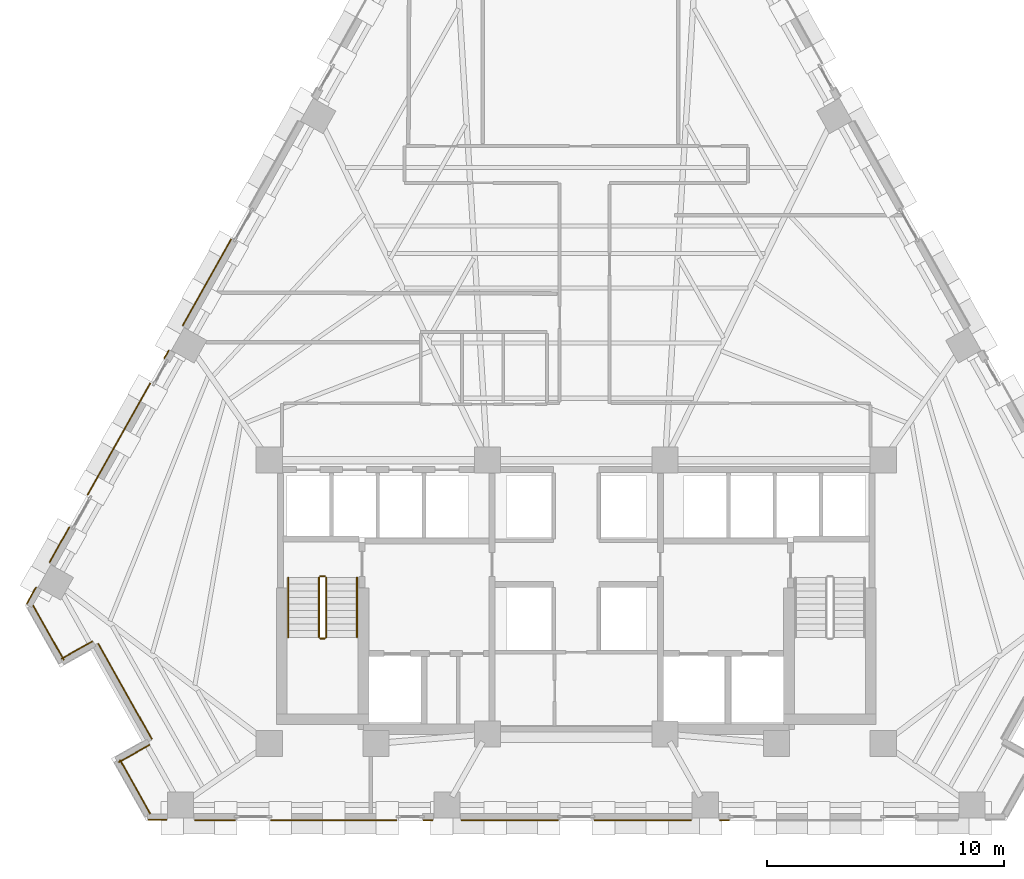
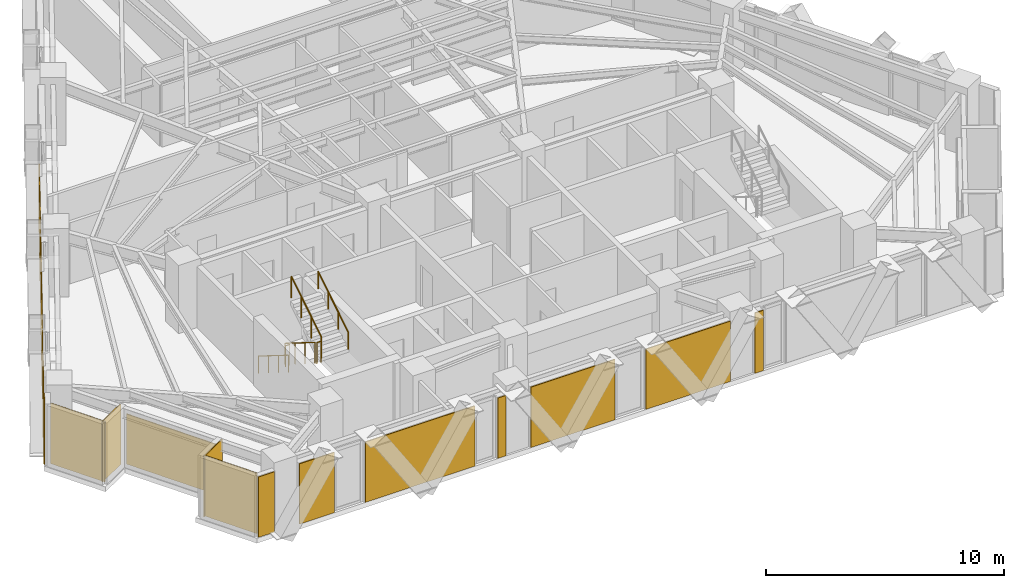
# One storey, part 10 of 13: 17 coverings, 6 railings.
"""IFC4 building model written with IfcOpenShell, lengths in metres."""

from ifc_helpers import new_model, si_unit, direction, frame, origin, origin_2d, place, context, subcontext, project, spatial, polyline, circle, outline, extrude, material, layer, layer_set, type_object, element, save


model = new_model("IFC4")

# Units and contexts
model_context = context("Model", 3, precision=1e-05, world=origin(), true_north=direction((0.0, 1.0)))
body_context = subcontext(model_context, "Body", "Model", "MODEL_VIEW")
ifc_project = project(units=[si_unit("LENGTHUNIT", "METRE"), si_unit("AREAUNIT", "SQUARE_METRE"), si_unit("VOLUMEUNIT", "CUBIC_METRE"), si_unit("PLANEANGLEUNIT", "RADIAN"), si_unit("MASSUNIT", "GRAM", prefix="KILO")], contexts=[model_context])

# Site, building, storey
site_placement = place(None, origin())
site = spatial("IfcSite", under=ifc_project, at=site_placement, CompositionType="ELEMENT")
building_placement = place(site_placement, origin())
building = spatial("IfcBuilding", under=site, at=building_placement, Name="Quenlor Broadcast Tower", CompositionType="ELEMENT")
storey_placement = place(building_placement, frame((0.0, 0.0, 87.10009765625)))
storey = spatial("IfcBuildingStorey", under=building, at=storey_placement, Name="L23", CompositionType="ELEMENT", Elevation=87.10009765625)

# Coverings
ifc_material_1 = material(Name="Architectural Terracotta Ceramic", Category="masonry")
ifc_layer = layer(ifc_material_1, 0.044921875)
ifc_layer_set = layer_set([ifc_layer], Name="Fluted Terracotta Rainscreen Cladding Panel")
covering_type = type_object("IfcCoveringType", Name="Fluted Terracotta Rainscreen Cladding Panel", PredefinedType="CLADDING", material=ifc_layer_set)
covering_1_placement = place(storey_placement, frame((0.0, 0.0, 0.02001953125)))
element("IfcCovering", 1, at=covering_1_placement, inside=storey, type_object=covering_type, Name="L23 Terracotta Rainscreen Cladding L23-SHD-SS1", PredefinedType="CLADDING", context=body_context, shape_type="SweptSolid", body=[
    extrude(outline(polyline([(-17.277587890625, -19.951904296875), (-18.053955078125, -19.951904296875), (-18.053955078125, -19.9970703125), (-17.277587890625, -19.9970703125), (-17.277587890625, -19.951904296875)])), origin(), (0.0, 0.0, 1.0), 3.099853515625),
])
covering_2_placement = place(storey_placement, frame((0.0, 0.0, 0.02001953125)))
element("IfcCovering", 2, at=covering_2_placement, inside=storey, type_object=covering_type, Name="L23 Terracotta Rainscreen Cladding L23-SA-SP3", PredefinedType="CLADDING", context=body_context, shape_type="SweptSolid", body=[
    extrude(outline(polyline([(6.4482421875, -19.971923828125), (6.048095703125, -19.971923828125), (6.048095703125, -20.01708984375), (6.4482421875, -20.01708984375), (6.4482421875, -19.971923828125)])), origin(), (0.0, 0.0, 1.0), 3.099853515625),
])
covering_3_placement = place(storey_placement, frame((0.0, 0.0, 0.02001953125)))
element("IfcCovering", 3, at=covering_3_placement, inside=storey, type_object=covering_type, Name="L23 Terracotta Rainscreen Cladding L23-SC-SP1", PredefinedType="CLADDING", context=body_context, shape_type="SweptSolid", body=[
    extrude(outline(polyline([(-6.048095703125, -19.971923828125), (-6.4482421875, -19.971923828125), (-6.4482421875, -20.01708984375), (-6.048095703125, -20.01708984375), (-6.048095703125, -19.971923828125)])), origin(), (0.0, 0.0, 1.0), 3.099853515625),
])
covering_4_placement = place(storey_placement, frame((0.0, 0.0, 0.02001953125)))
element("IfcCovering", 4, at=covering_4_placement, inside=storey, type_object=covering_type, Name="L23 Terracotta Rainscreen Cladding L23-SC-SP2", PredefinedType="CLADDING", context=body_context, shape_type="SweptSolid", body=[
    extrude(outline(polyline([(-7.5693359375, -19.971923828125), (-12.883544921875, -19.971923828125), (-12.883544921875, -20.01708984375), (-7.5693359375, -20.01708984375), (-7.5693359375, -19.971923828125)])), origin(), (0.0, 0.0, 1.0), 3.099853515625),
])
covering_5_placement = place(storey_placement, frame((0.0, 0.0, 0.02001953125)))
element("IfcCovering", 5, at=covering_5_placement, inside=storey, type_object=covering_type, Name="L23 Terracotta Rainscreen Cladding L23-SC-SP3", PredefinedType="CLADDING", context=body_context, shape_type="SweptSolid", body=[
    extrude(outline(polyline([(-14.386962890625, -19.971923828125), (-16.08740234375, -19.971923828125), (-16.08740234375, -20.01708984375), (-14.386962890625, -20.01708984375), (-14.386962890625, -19.971923828125)])), origin(), (0.0, 0.0, 1.0), 3.099853515625),
])
covering_6_placement = place(storey_placement, frame((0.0, 0.0, 0.02001953125)))
element("IfcCovering", 6, at=covering_6_placement, inside=storey, type_object=covering_type, Name="L23 Terracotta Rainscreen Cladding L23-S-SP1", PredefinedType="CLADDING", context=body_context, shape_type="SweptSolid", body=[
    extrude(outline(polyline([(4.84326171875, -19.971923828125), (0.751708984375, -19.971923828125), (0.751708984375, -20.01708984375), (4.84326171875, -20.01708984375), (4.84326171875, -19.971923828125)])), origin(), (0.0, 0.0, 1.0), 3.099853515625),
])
covering_7_placement = place(storey_placement, frame((0.0, 0.0, 0.02001953125)))
element("IfcCovering", 7, at=covering_7_placement, inside=storey, type_object=covering_type, Name="L23 Terracotta Rainscreen Cladding L23-S-SP2", PredefinedType="CLADDING", context=body_context, shape_type="SweptSolid", body=[
    extrude(outline(polyline([(-0.751708984375, -19.971923828125), (-4.84326171875, -19.971923828125), (-4.84326171875, -20.01708984375), (-0.751708984375, -20.01708984375), (-0.751708984375, -19.971923828125)])), origin(), (0.0, 0.0, 1.0), 3.099853515625),
])
covering_8_placement = place(storey_placement, frame((0.0, 0.0, 0.02001953125)))
element("IfcCovering", 8, at=covering_8_placement, inside=storey, type_object=covering_type, Name="L23 Terracotta Rainscreen Cladding L23-SHD-NWS0", PredefinedType="CLADDING", context=body_context, shape_type="SweptSolid", body=[
    extrude(outline(polyline([(-23.160888671875, -10.873046875), (-22.76611328125, -10.171142578125), (-22.805419921875, -10.149169921875), (-23.2001953125, -10.85107421875), (-23.160888671875, -10.873046875)])), origin(), (0.0, 0.0, 1.0), 3.099853515625),
])
covering_9_placement = place(storey_placement, frame((0.0, 0.0, 0.02001953125)))
element("IfcCovering", 9, at=covering_9_placement, inside=storey, type_object=covering_type, Name="L23 Terracotta Rainscreen Cladding L23-NWA-SP1", PredefinedType="CLADDING", context=body_context, shape_type="SweptSolid", body=[
    extrude(outline(polyline([(-22.2001953125, -9.1240234375), (-21.35693359375, -7.625), (-21.396240234375, -7.60302734375), (-22.239501953125, -9.10205078125), (-22.2001953125, -9.1240234375)])), origin(), (0.0, 0.0, 1.0), 3.099853515625),
])
covering_10_placement = place(storey_placement, frame((0.0, 0.0, 0.02001953125)))
element("IfcCovering", 10, at=covering_10_placement, inside=storey, type_object=covering_type, Name="L23 Terracotta Rainscreen Cladding L23-NWA-SP2", PredefinedType="CLADDING", context=body_context, shape_type="SweptSolid", body=[
    extrude(outline(polyline([(-20.596435546875, -6.27294921875), (-17.94384765625, -1.557373046875), (-17.983154296875, -1.535400390625), (-20.6357421875, -6.2509765625), (-20.596435546875, -6.27294921875)])), origin(), (0.0, 0.0, 1.0), 3.099853515625),
])
covering_11_placement = place(storey_placement, frame((0.0, 0.0, 0.02001953125)))
element("IfcCovering", 11, at=covering_11_placement, inside=storey, type_object=covering_type, Name="L23 Terracotta Rainscreen Cladding L23-NWA-SP3", PredefinedType="CLADDING", context=body_context, shape_type="SweptSolid", body=[
    extrude(outline(polyline([(-17.36474609375, -0.528076171875), (-17.168701171875, -0.179443359375), (-17.2080078125, -0.157470703125), (-17.404052734375, -0.506103515625), (-17.36474609375, -0.528076171875)])), origin(), (0.0, 0.0, 1.0), 3.099853515625),
])
covering_12_placement = place(storey_placement, frame((0.0, 0.0, 0.02001953125)))
element("IfcCovering", 12, at=covering_12_placement, inside=storey, type_object=covering_type, Name="L23 Terracotta Rainscreen Cladding L23-NW-SP1", PredefinedType="CLADDING", context=body_context, shape_type="SweptSolid", body=[
    extrude(outline(polyline([(-16.577880859375, 0.870849609375), (-14.531005859375, 4.51025390625), (-14.570068359375, 4.5322265625), (-16.6171875, 0.892822265625), (-16.577880859375, 0.870849609375)])), origin(), (0.0, 0.0, 1.0), 3.099853515625),
])
covering_13_placement = place(storey_placement, frame((0.0, 0.0, 0.02001953125)))
element("IfcCovering", 13, at=covering_13_placement, inside=storey, type_object=covering_type, Name="L23 Terracotta Rainscreen Cladding L23-CNR-12", PredefinedType="CLADDING", context=body_context, shape_type="SweptSolid", body=[
    extrude(outline(polyline([(-22.931396484375, -10.93408203125), (-21.630126953125, -13.24755859375), (-21.591064453125, -13.2255859375), (-22.892333984375, -10.912109375), (-22.931396484375, -10.93408203125)])), origin(), (0.0, 0.0, 1.0), 3.099853515625),
])
covering_14_placement = place(storey_placement, frame((0.0, 0.0, 0.02001953125)))
element("IfcCovering", 14, at=covering_14_placement, inside=storey, type_object=covering_type, Name="L23 Terracotta Rainscreen Cladding L23-CNR-13", PredefinedType="CLADDING", context=body_context, shape_type="SweptSolid", body=[
    extrude(outline(polyline([(-21.70703125, -13.19677734375), (-20.399658203125, -12.461181640625), (-20.421630859375, -12.422119140625), (-21.72900390625, -13.157470703125), (-21.70703125, -13.19677734375)])), origin(), (0.0, 0.0, 1.0), 3.099853515625),
])
covering_15_placement = place(storey_placement, frame((0.0, 0.0, 0.02001953125)))
element("IfcCovering", 15, at=covering_15_placement, inside=storey, type_object=covering_type, Name="L23 Terracotta Rainscreen Cladding L23-CNR-14", PredefinedType="CLADDING", context=body_context, shape_type="SweptSolid", body=[
    extrude(outline(polyline([(-20.186767578125, -12.55029296875), (-17.921630859375, -16.576904296875), (-17.88232421875, -16.554931640625), (-20.1474609375, -12.5283203125), (-20.186767578125, -12.55029296875)])), origin(), (0.0, 0.0, 1.0), 2.57177734375),
])
covering_16_placement = place(storey_placement, frame((0.0, 0.0, 0.02001953125)))
element("IfcCovering", 16, at=covering_16_placement, inside=storey, type_object=covering_type, Name="L23 Terracotta Rainscreen Cladding L23-CNR-15", PredefinedType="CLADDING", context=body_context, shape_type="SweptSolid", body=[
    extrude(outline(polyline([(-18.010498046875, -16.789794921875), (-19.31787109375, -17.525390625), (-19.2958984375, -17.564697265625), (-17.988525390625, -16.8291015625), (-18.010498046875, -16.789794921875)])), origin(), (0.0, 0.0, 1.0), 3.099853515625),
])
covering_17_placement = place(storey_placement, frame((0.0, 0.0, 0.02001953125)))
element("IfcCovering", 17, at=covering_17_placement, inside=storey, type_object=covering_type, Name="L23 Terracotta Rainscreen Cladding L23-CNR-16", PredefinedType="CLADDING", context=body_context, shape_type="SweptSolid", body=[
    extrude(outline(polyline([(-19.26708984375, -17.448486328125), (-17.987060546875, -19.72412109375), (-17.947998046875, -19.7021484375), (-19.227783203125, -17.426513671875), (-19.26708984375, -17.448486328125)])), origin(), (0.0, 0.0, 1.0), 3.099853515625),
])

# Railings
ifc_material_2 = material(Name="Anodised Aluminium", Category="aluminium")
railing_type_1 = type_object("IfcRailingType", Name="Stainless Aluminium Wall Handrail 900", PredefinedType="HANDRAIL", material=ifc_material_2)
railing_1_placement = place(storey_placement, frame((-12.14990234375, -9.75, 0.1748046875)))
element("IfcRailing", 18, at=railing_1_placement, inside=storey, type_object=railing_type_1, Name="L23 ST-1 stair handrail 1", PredefinedType="HANDRAIL", context=body_context, shape_type="SweptSolid", body=[
    extrude(circle(Radius=0.02392578125, at=origin_2d()), frame((0.0, 0.0, 0.8759765625), z_axis=(0.0, -0.847970611238, 0.530043245855), x_axis=(1.0, 0.0, 0.0)), (0.0, 0.0, 1.0), 2.971923828125),
    extrude(circle(Radius=0.02099609375, at=origin_2d()), origin(), (0.0, 0.0, 1.0), 0.851806640625),
    extrude(circle(Radius=0.02099609375, at=origin_2d()), frame((0.0, -0.840087890625, 0.525146484375)), (0.0, 0.0, 1.0), 0.851806640625),
    extrude(circle(Radius=0.02099609375, at=origin_2d()), frame((0.0, -1.679931640625, 1.050048828125)), (0.0, 0.0, 1.0), 0.851806640625),
    extrude(circle(Radius=0.02099609375, at=origin_2d()), frame((0.0, -2.52001953125, 1.5751953125)), (0.0, 0.0, 1.0), 0.851806640625),
])
railing_2_placement = place(storey_placement, frame((-9.25, -12.27001953125, 1.9248046875)))
element("IfcRailing", 19, at=railing_2_placement, inside=storey, type_object=railing_type_1, Name="L23 ST-1 stair handrail 2", PredefinedType="HANDRAIL", context=body_context, shape_type="SweptSolid", body=[
    extrude(circle(Radius=0.02392578125, at=origin_2d()), frame((0.0, 0.0, 0.8759765625), z_axis=(0.0, 0.847970611238, 0.530043245855), x_axis=(-1.0, 0.0, 0.0)), (0.0, 0.0, 1.0), 2.971923828125),
    extrude(circle(Radius=0.02099609375, at=origin_2d()), origin(), (0.0, 0.0, 1.0), 0.851806640625),
    extrude(circle(Radius=0.02099609375, at=origin_2d()), frame((0.0, 0.840087890625, 0.525146484375)), (0.0, 0.0, 1.0), 0.851806640625),
    extrude(circle(Radius=0.02099609375, at=origin_2d()), frame((0.0, 1.679931640625, 1.050048828125)), (0.0, 0.0, 1.0), 0.851806640625),
    extrude(circle(Radius=0.02099609375, at=origin_2d()), frame((0.0, 2.52001953125, 1.5751953125)), (0.0, 0.0, 1.0), 0.851806640625),
])
ifc_material_3 = material(Name="Steel S355", Category="steel")
railing_type_2 = type_object("IfcRailingType", Name="Tubular Steel S355 Stair Guardrail 1100", PredefinedType="BALUSTRADE", material=ifc_material_3)
railing_3_placement = place(storey_placement, frame((-10.85009765625, -9.75, 0.1748046875)))
element("IfcRailing", 20, at=railing_3_placement, inside=storey, type_object=railing_type_2, Name="L23 ST-1 stair guard 1", PredefinedType="BALUSTRADE", context=body_context, shape_type="SweptSolid", body=[
    extrude(circle(Radius=0.02392578125, at=origin_2d()), frame((0.0, 0.0, 1.076171875), z_axis=(0.0, -0.847970611238, 0.530043245855), x_axis=(1.0, 0.0, 0.0)), (0.0, 0.0, 1.0), 2.971923828125),
    extrude(circle(Radius=0.02099609375, at=origin_2d()), origin(), (0.0, 0.0, 1.0), 1.052001953125),
    extrude(circle(Radius=0.02099609375, at=origin_2d()), frame((0.0, -0.840087890625, 0.525146484375)), (0.0, 0.0, 1.0), 1.052001953125),
    extrude(circle(Radius=0.02099609375, at=origin_2d()), frame((0.0, -1.679931640625, 1.050048828125)), (0.0, 0.0, 1.0), 1.052001953125),
    extrude(circle(Radius=0.02099609375, at=origin_2d()), frame((0.0, -2.52001953125, 1.5751953125)), (0.0, 0.0, 1.0), 1.052001953125),
])
railing_4_placement = place(storey_placement, frame((-10.800048828125, -12.320068359375, 1.75)))
element("IfcRailing", 21, at=railing_4_placement, inside=storey, type_object=railing_type_2, Name="L23 ST-1 stair guard 2", PredefinedType="BALUSTRADE", context=body_context, shape_type="SweptSolid", body=[
    extrude(circle(Radius=0.02392578125, at=origin_2d()), frame((0.0, 0.0, 1.076171875), z_axis=(1.0, 0.0, 0.0), x_axis=(0.0, 1.0, 0.0)), (0.0, 0.0, 1.0), 0.199951171875),
    extrude(circle(Radius=0.02099609375, at=origin_2d()), origin(), (0.0, 0.0, 1.0), 1.052001953125),
    extrude(circle(Radius=0.02099609375, at=origin_2d()), frame((0.199951171875, 0.0, 0.0)), (0.0, 0.0, 1.0), 1.052001953125),
])
railing_5_placement = place(storey_placement, frame((-10.550048828125, -12.27001953125, 1.9248046875)))
element("IfcRailing", 22, at=railing_5_placement, inside=storey, type_object=railing_type_2, Name="L23 ST-1 stair guard 3", PredefinedType="BALUSTRADE", context=body_context, shape_type="SweptSolid", body=[
    extrude(circle(Radius=0.02392578125, at=origin_2d()), frame((0.0, 0.0, 1.076171875), z_axis=(0.0, 0.847970611238, 0.530043245855), x_axis=(-1.0, 0.0, 0.0)), (0.0, 0.0, 1.0), 2.971923828125),
    extrude(circle(Radius=0.02099609375, at=origin_2d()), origin(), (0.0, 0.0, 1.0), 1.052001953125),
    extrude(circle(Radius=0.02099609375, at=origin_2d()), frame((0.0, 0.840087890625, 0.525146484375)), (0.0, 0.0, 1.0), 1.052001953125),
    extrude(circle(Radius=0.02099609375, at=origin_2d()), frame((0.0, 1.679931640625, 1.050048828125)), (0.0, 0.0, 1.0), 1.052001953125),
    extrude(circle(Radius=0.02099609375, at=origin_2d()), frame((0.0, 2.52001953125, 1.5751953125)), (0.0, 0.0, 1.0), 1.052001953125),
])
railing_6_placement = place(storey_placement, frame((-10.800048828125, -9.699951171875, 0.0)))
element("IfcRailing", 23, at=railing_6_placement, inside=storey, type_object=railing_type_2, Name="L23 ST-1 stair guard 4", PredefinedType="BALUSTRADE", context=body_context, shape_type="SweptSolid", body=[
    extrude(circle(Radius=0.02392578125, at=origin_2d()), frame((0.0, 0.0, 1.076171875), z_axis=(1.0, 0.0, 0.0), x_axis=(0.0, 1.0, 0.0)), (0.0, 0.0, 1.0), 0.199951171875),
    extrude(circle(Radius=0.02099609375, at=origin_2d()), origin(), (0.0, 0.0, 1.0), 1.052001953125),
    extrude(circle(Radius=0.02099609375, at=origin_2d()), frame((0.199951171875, 0.0, 0.0)), (0.0, 0.0, 1.0), 1.052001953125),
])

save(model, "model.ifc")
